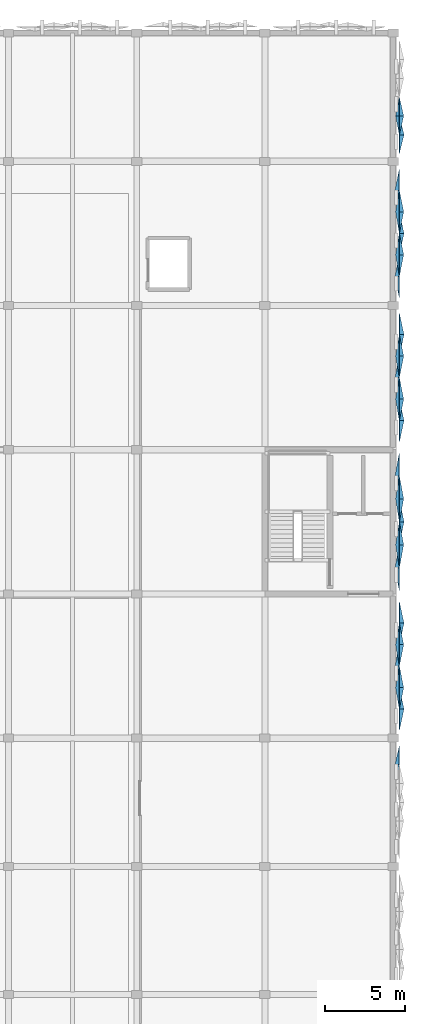
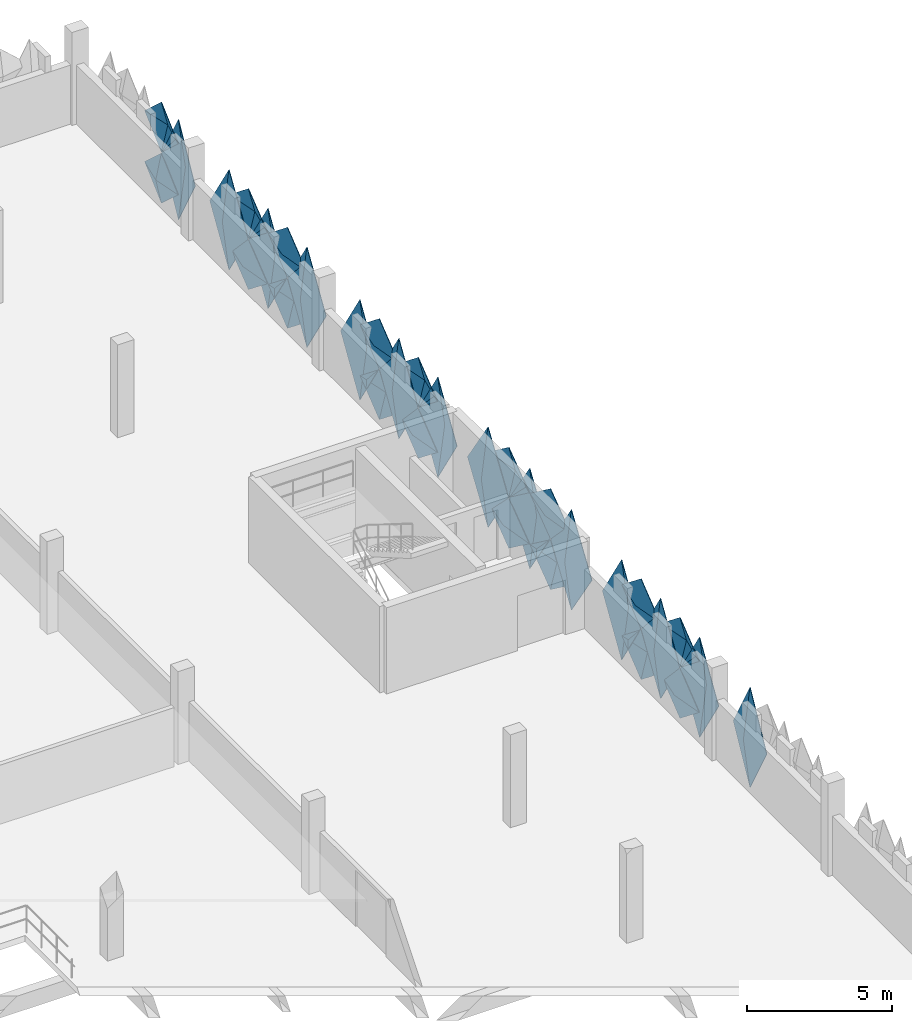
# One storey, part 66 of 83: 32 plates.
"""IFC4 building model written with IfcOpenShell, lengths in metres."""

from ifc_helpers import new_model, si_unit, derived_unit, direction, frame, origin, place, context, subcontext, project, spatial, polygons, material, layer, layer_set, type_object, element, save


model = new_model("IFC4")

# Units and contexts
model_context = context("Model", 3, precision=1e-05, world=origin(), true_north=direction((0.0, 1.0)))
body_context = subcontext(model_context, "Body", "Model", "MODEL_VIEW")
ifc_project = project(units=[si_unit("LENGTHUNIT", "METRE"), si_unit("AREAUNIT", "SQUARE_METRE"), si_unit("VOLUMEUNIT", "CUBIC_METRE"), si_unit("PLANEANGLEUNIT", "RADIAN"), si_unit("MASSUNIT", "GRAM", prefix="KILO"), si_unit("THERMODYNAMICTEMPERATUREUNIT", "KELVIN"), derived_unit("THERMALTRANSMITTANCEUNIT", [(si_unit("POWERUNIT", "WATT"), 1), (si_unit("AREAUNIT", "SQUARE_METRE"), -1), (si_unit("THERMODYNAMICTEMPERATUREUNIT", "KELVIN"), -1)])], contexts=[model_context])

# Site, building, storey
site_placement = place(None, origin())
site = spatial("IfcSite", under=ifc_project, at=site_placement, CompositionType="ELEMENT")
building_placement = place(site_placement, origin())
building = spatial("IfcBuilding", under=site, at=building_placement, Name="Haiyu Intermodal Mobility Hub", CompositionType="ELEMENT")
storey_placement = place(building_placement, frame((0.0, 0.0, 13.39990234375)))
storey = spatial("IfcBuildingStorey", under=building, at=storey_placement, Name="L03", CompositionType="ELEMENT", Elevation=13.39990234375)

# Plates
ifc_material = material(Name="Anodised aluminium 6063-T6", Category="aluminium")
ifc_layer_1 = layer(ifc_material, 0.01806640625)
ifc_layer_set_1 = layer_set([ifc_layer_1], Name="Anodised aluminium 6063-T6")
plate_type_1 = type_object("IfcPlateType", Name="PLT-FC01", PredefinedType="USERDEFINED", material=ifc_layer_set_1)
plate_1_placement = place(storey_placement, origin())
element("IfcPlate", 1, at=plate_1_placement, inside=storey, type_object=plate_type_1, Name="PLT-PYR-1213", ObjectType="FACADE CASSETTE", PredefinedType="USERDEFINED", context=body_context, shape_type="Tessellation", body=[
    polygons([(210.39990234375, 107.159912109375, 1.6201171875), (210.39990234375, 108.47998046875, 2.670166015625), (210.39990234375, 107.159912109375, 3.72021484375), (210.39990234375, 105.840087890625, 2.670166015625), (210.659912109375, 107.159912109375, 2.670166015625), (210.3779296875, 107.159912109375, 1.6201171875), (210.3779296875, 108.47998046875, 2.670166015625), (210.3779296875, 107.159912109375, 3.72021484375), (210.3779296875, 105.840087890625, 2.670166015625), (210.637939453125, 107.159912109375, 2.670166015625)], [[[1, 2, 5]], [[2, 3, 5]], [[3, 4, 5]], [[4, 1, 5]], [[7, 6, 10]], [[8, 7, 10]], [[9, 8, 10]], [[6, 9, 10]], [[1, 6, 7, 2]], [[2, 7, 8, 3]], [[3, 8, 9, 4]], [[4, 9, 6, 1]]], closed=True),
])
plate_2_placement = place(storey_placement, origin())
element("IfcPlate", 2, at=plate_2_placement, inside=storey, type_object=plate_type_1, Name="PLT-PYR-1220", ObjectType="FACADE CASSETTE", PredefinedType="USERDEFINED", context=body_context, shape_type="Tessellation", body=[
    polygons([(210.39990234375, 125.159912109375, 1.6201171875), (210.39990234375, 126.47998046875, 2.670166015625), (210.39990234375, 125.159912109375, 3.72021484375), (210.39990234375, 123.840087890625, 2.670166015625), (210.659912109375, 125.159912109375, 2.670166015625), (210.3779296875, 125.159912109375, 1.6201171875), (210.3779296875, 126.47998046875, 2.670166015625), (210.3779296875, 125.159912109375, 3.72021484375), (210.3779296875, 123.840087890625, 2.670166015625), (210.637939453125, 125.159912109375, 2.670166015625)], [[[1, 2, 5]], [[2, 3, 5]], [[3, 4, 5]], [[4, 1, 5]], [[7, 6, 10]], [[8, 7, 10]], [[9, 8, 10]], [[6, 9, 10]], [[1, 6, 7, 2]], [[2, 7, 8, 3]], [[3, 8, 9, 4]], [[4, 9, 6, 1]]], closed=True),
])
plate_3_placement = place(storey_placement, origin())
element("IfcPlate", 3, at=plate_3_placement, inside=storey, type_object=plate_type_1, Name="PLT-PYR-1228", ObjectType="FACADE CASSETTE", PredefinedType="USERDEFINED", context=body_context, shape_type="Tessellation", body=[
    polygons([(210.39990234375, 135.5, -0.510009765625), (210.39990234375, 136.820068359375, 1.60009765625), (210.39990234375, 135.5, 3.710205078125), (210.39990234375, 134.179931640625, 1.60009765625), (210.679931640625, 135.5, 1.60009765625), (210.3779296875, 135.5, -0.510009765625), (210.3779296875, 136.820068359375, 1.60009765625), (210.3779296875, 135.5, 3.710205078125), (210.3779296875, 134.179931640625, 1.60009765625), (210.657958984375, 135.5, 1.60009765625)], [[[1, 2, 5]], [[2, 3, 5]], [[3, 4, 5]], [[4, 1, 5]], [[7, 6, 10]], [[8, 7, 10]], [[9, 8, 10]], [[6, 9, 10]], [[1, 6, 7, 2]], [[2, 7, 8, 3]], [[3, 8, 9, 4]], [[4, 9, 6, 1]]], closed=True),
])
plate_4_placement = place(storey_placement, origin())
element("IfcPlate", 4, at=plate_4_placement, inside=storey, type_object=plate_type_1, Name="PLT-PYR-1230", ObjectType="FACADE CASSETTE", PredefinedType="USERDEFINED", context=body_context, shape_type="Tessellation", body=[
    polygons([(210.39990234375, 136.840087890625, 1.6201171875), (210.39990234375, 138.159912109375, 2.670166015625), (210.39990234375, 136.840087890625, 3.72021484375), (210.39990234375, 135.52001953125, 2.670166015625), (210.659912109375, 136.840087890625, 2.670166015625), (210.3779296875, 136.840087890625, 1.6201171875), (210.3779296875, 138.159912109375, 2.670166015625), (210.3779296875, 136.840087890625, 3.72021484375), (210.3779296875, 135.52001953125, 2.670166015625), (210.637939453125, 136.840087890625, 2.670166015625)], [[[1, 2, 5]], [[2, 3, 5]], [[3, 4, 5]], [[4, 1, 5]], [[7, 6, 10]], [[8, 7, 10]], [[9, 8, 10]], [[6, 9, 10]], [[1, 6, 7, 2]], [[2, 7, 8, 3]], [[3, 8, 9, 4]], [[4, 9, 6, 1]]], closed=True),
])
plate_5_placement = place(storey_placement, origin())
element("IfcPlate", 5, at=plate_5_placement, inside=storey, type_object=plate_type_1, Name="PLT-PYR-1234", ObjectType="FACADE CASSETTE", PredefinedType="USERDEFINED", context=body_context, shape_type="Tessellation", body=[
    polygons([(210.39990234375, 142.826904296875, 1.6201171875), (210.39990234375, 143.97998046875, 2.670166015625), (210.39990234375, 142.826904296875, 3.72021484375), (210.39990234375, 141.673095703125, 2.670166015625), (210.659912109375, 142.826904296875, 2.670166015625), (210.3779296875, 142.826904296875, 1.6201171875), (210.3779296875, 143.97998046875, 2.670166015625), (210.3779296875, 142.826904296875, 3.72021484375), (210.3779296875, 141.673095703125, 2.670166015625), (210.637939453125, 142.826904296875, 2.670166015625)], [[[1, 2, 5]], [[2, 3, 5]], [[3, 4, 5]], [[4, 1, 5]], [[7, 6, 10]], [[8, 7, 10]], [[9, 8, 10]], [[6, 9, 10]], [[1, 6, 7, 2]], [[2, 7, 8, 3]], [[3, 8, 9, 4]], [[4, 9, 6, 1]]], closed=True),
])
plate_6_placement = place(storey_placement, origin())
element("IfcPlate", 6, at=plate_6_placement, inside=storey, type_object=plate_type_1, Name="PLT-PYR-1405", ObjectType="FACADE CASSETTE", PredefinedType="USERDEFINED", context=body_context, shape_type="Tessellation", body=[
    polygons([(210.39990234375, 117.5, -0.510009765625), (210.39990234375, 118.9130859375, 1.60009765625), (210.39990234375, 117.5, 3.710205078125), (210.39990234375, 116.0869140625, 1.60009765625), (210.679931640625, 117.5, 1.60009765625), (210.3779296875, 117.5, -0.510009765625), (210.3779296875, 118.9130859375, 1.60009765625), (210.3779296875, 117.5, 3.710205078125), (210.3779296875, 116.0869140625, 1.60009765625), (210.657958984375, 117.5, 1.60009765625)], [[[1, 2, 5]], [[2, 3, 5]], [[3, 4, 5]], [[4, 1, 5]], [[7, 6, 10]], [[8, 7, 10]], [[9, 8, 10]], [[6, 9, 10]], [[1, 6, 7, 2]], [[2, 7, 8, 3]], [[3, 8, 9, 4]], [[4, 9, 6, 1]]], closed=True),
])
plate_7_placement = place(storey_placement, origin())
element("IfcPlate", 7, at=plate_7_placement, inside=storey, type_object=plate_type_1, Name="PLT-PYR-1407", ObjectType="FACADE CASSETTE", PredefinedType="USERDEFINED", context=body_context, shape_type="Tessellation", body=[
    polygons([(210.39990234375, 118.93310546875, 1.6201171875), (210.39990234375, 120.346923828125, 2.670166015625), (210.39990234375, 118.93310546875, 3.72021484375), (210.39990234375, 117.52001953125, 2.670166015625), (210.659912109375, 118.93310546875, 2.670166015625), (210.3779296875, 118.93310546875, 1.6201171875), (210.3779296875, 120.346923828125, 2.670166015625), (210.3779296875, 118.93310546875, 3.72021484375), (210.3779296875, 117.52001953125, 2.670166015625), (210.637939453125, 118.93310546875, 2.670166015625)], [[[1, 2, 5]], [[2, 3, 5]], [[3, 4, 5]], [[4, 1, 5]], [[7, 6, 10]], [[8, 7, 10]], [[9, 8, 10]], [[6, 9, 10]], [[1, 6, 7, 2]], [[2, 7, 8, 3]], [[3, 8, 9, 4]], [[4, 9, 6, 1]]], closed=True),
])
ifc_layer_2 = layer(ifc_material, 0.02001953125)
ifc_layer_set_2 = layer_set([ifc_layer_2], Name="Anodised aluminium 6063-T6")
plate_type_2 = type_object("IfcPlateType", Name="PLT-FC02", PredefinedType="USERDEFINED", material=ifc_layer_set_2)
plate_8_placement = place(storey_placement, origin())
element("IfcPlate", 8, at=plate_8_placement, inside=storey, type_object=plate_type_2, Name="PLT-PYR-1214", ObjectType="FACADE CASSETTE", PredefinedType="USERDEFINED", context=body_context, shape_type="Tessellation", body=[
    polygons([(210.39990234375, 108.5, -0.510009765625), (210.39990234375, 109.820068359375, 1.60009765625), (210.39990234375, 108.5, 3.710205078125), (210.39990234375, 107.179931640625, 1.60009765625), (210.139892578125, 108.5, 1.60009765625), (210.3779296875, 108.5, -0.510009765625), (210.3779296875, 109.820068359375, 1.60009765625), (210.3779296875, 108.5, 3.710205078125), (210.3779296875, 107.179931640625, 1.60009765625), (210.117919921875, 108.5, 1.60009765625)], [[[1, 2, 5]], [[2, 3, 5]], [[3, 4, 5]], [[4, 1, 5]], [[7, 6, 10]], [[8, 7, 10]], [[9, 8, 10]], [[6, 9, 10]], [[1, 6, 7, 2]], [[2, 7, 8, 3]], [[3, 8, 9, 4]], [[4, 9, 6, 1]]], closed=True),
])
plate_9_placement = place(storey_placement, origin())
element("IfcPlate", 9, at=plate_9_placement, inside=storey, type_object=plate_type_2, Name="PLT-PYR-1216", ObjectType="FACADE CASSETTE", PredefinedType="USERDEFINED", context=body_context, shape_type="Tessellation", body=[
    polygons([(210.39990234375, 109.840087890625, 1.6201171875), (210.39990234375, 111.159912109375, 2.670166015625), (210.39990234375, 109.840087890625, 3.72021484375), (210.39990234375, 108.52001953125, 2.670166015625), (210.179931640625, 109.840087890625, 2.670166015625), (210.3779296875, 109.840087890625, 1.6201171875), (210.3779296875, 111.159912109375, 2.670166015625), (210.3779296875, 109.840087890625, 3.72021484375), (210.3779296875, 108.52001953125, 2.670166015625), (210.157958984375, 109.840087890625, 2.670166015625)], [[[1, 2, 5]], [[2, 3, 5]], [[3, 4, 5]], [[4, 1, 5]], [[7, 6, 10]], [[8, 7, 10]], [[9, 8, 10]], [[6, 9, 10]], [[1, 6, 7, 2]], [[2, 7, 8, 3]], [[3, 8, 9, 4]], [[4, 9, 6, 1]]], closed=True),
])
plate_10_placement = place(storey_placement, origin())
element("IfcPlate", 10, at=plate_10_placement, inside=storey, type_object=plate_type_2, Name="PLT-PYR-1221", ObjectType="FACADE CASSETTE", PredefinedType="USERDEFINED", context=body_context, shape_type="Tessellation", body=[
    polygons([(210.39990234375, 126.5, -0.510009765625), (210.39990234375, 127.820068359375, 1.60009765625), (210.39990234375, 126.5, 3.710205078125), (210.39990234375, 125.179931640625, 1.60009765625), (210.139892578125, 126.5, 1.60009765625), (210.3779296875, 126.5, -0.510009765625), (210.3779296875, 127.820068359375, 1.60009765625), (210.3779296875, 126.5, 3.710205078125), (210.3779296875, 125.179931640625, 1.60009765625), (210.117919921875, 126.5, 1.60009765625)], [[[1, 2, 5]], [[2, 3, 5]], [[3, 4, 5]], [[4, 1, 5]], [[7, 6, 10]], [[8, 7, 10]], [[9, 8, 10]], [[6, 9, 10]], [[1, 6, 7, 2]], [[2, 7, 8, 3]], [[3, 8, 9, 4]], [[4, 9, 6, 1]]], closed=True),
])
plate_11_placement = place(storey_placement, origin())
element("IfcPlate", 11, at=plate_11_placement, inside=storey, type_object=plate_type_2, Name="PLT-PYR-1223", ObjectType="FACADE CASSETTE", PredefinedType="USERDEFINED", context=body_context, shape_type="Tessellation", body=[
    polygons([(210.39990234375, 127.840087890625, 1.6201171875), (210.39990234375, 129.159912109375, 2.670166015625), (210.39990234375, 127.840087890625, 3.72021484375), (210.39990234375, 126.52001953125, 2.670166015625), (210.179931640625, 127.840087890625, 2.670166015625), (210.3779296875, 127.840087890625, 1.6201171875), (210.3779296875, 129.159912109375, 2.670166015625), (210.3779296875, 127.840087890625, 3.72021484375), (210.3779296875, 126.52001953125, 2.670166015625), (210.157958984375, 127.840087890625, 2.670166015625)], [[[1, 2, 5]], [[2, 3, 5]], [[3, 4, 5]], [[4, 1, 5]], [[7, 6, 10]], [[8, 7, 10]], [[9, 8, 10]], [[6, 9, 10]], [[1, 6, 7, 2]], [[2, 7, 8, 3]], [[3, 8, 9, 4]], [[4, 9, 6, 1]]], closed=True),
])
plate_12_placement = place(storey_placement, origin())
element("IfcPlate", 12, at=plate_12_placement, inside=storey, type_object=plate_type_2, Name="PLT-PYR-1227", ObjectType="FACADE CASSETTE", PredefinedType="USERDEFINED", context=body_context, shape_type="Tessellation", body=[
    polygons([(210.39990234375, 134.159912109375, 1.6201171875), (210.39990234375, 135.47998046875, 2.670166015625), (210.39990234375, 134.159912109375, 3.72021484375), (210.39990234375, 132.840087890625, 2.670166015625), (210.179931640625, 134.159912109375, 2.670166015625), (210.3779296875, 134.159912109375, 1.6201171875), (210.3779296875, 135.47998046875, 2.670166015625), (210.3779296875, 134.159912109375, 3.72021484375), (210.3779296875, 132.840087890625, 2.670166015625), (210.157958984375, 134.159912109375, 2.670166015625)], [[[1, 2, 5]], [[2, 3, 5]], [[3, 4, 5]], [[4, 1, 5]], [[7, 6, 10]], [[8, 7, 10]], [[9, 8, 10]], [[6, 9, 10]], [[1, 6, 7, 2]], [[2, 7, 8, 3]], [[3, 8, 9, 4]], [[4, 9, 6, 1]]], closed=True),
])
plate_13_placement = place(storey_placement, origin())
element("IfcPlate", 13, at=plate_13_placement, inside=storey, type_object=plate_type_2, Name="PLT-PYR-1404", ObjectType="FACADE CASSETTE", PredefinedType="USERDEFINED", context=body_context, shape_type="Tessellation", body=[
    polygons([(210.39990234375, 116.06689453125, 1.6201171875), (210.39990234375, 117.47998046875, 2.670166015625), (210.39990234375, 116.06689453125, 3.72021484375), (210.39990234375, 114.653076171875, 2.670166015625), (210.179931640625, 116.06689453125, 2.670166015625), (210.3779296875, 116.06689453125, 1.6201171875), (210.3779296875, 117.47998046875, 2.670166015625), (210.3779296875, 116.06689453125, 3.72021484375), (210.3779296875, 114.653076171875, 2.670166015625), (210.157958984375, 116.06689453125, 2.670166015625)], [[[1, 2, 5]], [[2, 3, 5]], [[3, 4, 5]], [[4, 1, 5]], [[7, 6, 10]], [[8, 7, 10]], [[9, 8, 10]], [[6, 9, 10]], [[1, 6, 7, 2]], [[2, 7, 8, 3]], [[3, 8, 9, 4]], [[4, 9, 6, 1]]], closed=True),
])
ifc_layer_3 = layer(ifc_material, 0.01806640625)
ifc_layer_set_3 = layer_set([ifc_layer_3], Name="Anodised aluminium 6063-T6")
plate_type_3 = type_object("IfcPlateType", Name="PLT-FC03", PredefinedType="USERDEFINED", material=ifc_layer_set_3)
plate_14_placement = place(storey_placement, origin())
element("IfcPlate", 14, at=plate_14_placement, inside=storey, type_object=plate_type_3, Name="PLT-PYR-1217", ObjectType="FACADE CASSETTE", PredefinedType="USERDEFINED", context=body_context, shape_type="Tessellation", body=[
    polygons([(210.39990234375, 111.179931640625, -0.510009765625), (210.39990234375, 112.5, 1.60009765625), (210.39990234375, 111.179931640625, 3.710205078125), (210.39990234375, 109.860107421875, 1.60009765625), (210.679931640625, 111.179931640625, 1.60009765625), (210.3779296875, 111.179931640625, -0.510009765625), (210.3779296875, 112.5, 1.60009765625), (210.3779296875, 111.179931640625, 3.710205078125), (210.3779296875, 109.860107421875, 1.60009765625), (210.657958984375, 111.179931640625, 1.60009765625)], [[[1, 2, 5]], [[2, 3, 5]], [[3, 4, 5]], [[4, 1, 5]], [[7, 6, 10]], [[8, 7, 10]], [[9, 8, 10]], [[6, 9, 10]], [[1, 6, 7, 2]], [[2, 7, 8, 3]], [[3, 8, 9, 4]], [[4, 9, 6, 1]]], closed=True),
])
plate_15_placement = place(storey_placement, origin())
element("IfcPlate", 15, at=plate_15_placement, inside=storey, type_object=plate_type_3, Name="PLT-PYR-1224", ObjectType="FACADE CASSETTE", PredefinedType="USERDEFINED", context=body_context, shape_type="Tessellation", body=[
    polygons([(210.39990234375, 129.179931640625, -0.510009765625), (210.39990234375, 130.5, 1.60009765625), (210.39990234375, 129.179931640625, 3.710205078125), (210.39990234375, 127.860107421875, 1.60009765625), (210.679931640625, 129.179931640625, 1.60009765625), (210.3779296875, 129.179931640625, -0.510009765625), (210.3779296875, 130.5, 1.60009765625), (210.3779296875, 129.179931640625, 3.710205078125), (210.3779296875, 127.860107421875, 1.60009765625), (210.657958984375, 129.179931640625, 1.60009765625)], [[[1, 2, 5]], [[2, 3, 5]], [[3, 4, 5]], [[4, 1, 5]], [[7, 6, 10]], [[8, 7, 10]], [[9, 8, 10]], [[6, 9, 10]], [[1, 6, 7, 2]], [[2, 7, 8, 3]], [[3, 8, 9, 4]], [[4, 9, 6, 1]]], closed=True),
])
ifc_layer_4 = layer(ifc_material, 0.02001953125)
ifc_layer_set_4 = layer_set([ifc_layer_4], Name="Anodised aluminium 6063-T6")
plate_type_4 = type_object("IfcPlateType", Name="PLT-FC04", PredefinedType="USERDEFINED", material=ifc_layer_set_4)
plate_16_placement = place(storey_placement, origin())
element("IfcPlate", 16, at=plate_16_placement, inside=storey, type_object=plate_type_4, Name="PLT-PYR-1210", ObjectType="FACADE CASSETTE", PredefinedType="USERDEFINED", context=body_context, shape_type="Tessellation", body=[
    polygons([(210.39990234375, 102.346923828125, -0.510009765625), (210.39990234375, 103.5, 1.60009765625), (210.39990234375, 102.346923828125, 3.710205078125), (210.39990234375, 101.193115234375, 1.60009765625), (210.139892578125, 102.346923828125, 1.60009765625), (210.3779296875, 102.346923828125, -0.510009765625), (210.3779296875, 103.5, 1.60009765625), (210.3779296875, 102.346923828125, 3.710205078125), (210.3779296875, 101.193115234375, 1.60009765625), (210.117919921875, 102.346923828125, 1.60009765625)], [[[1, 2, 5]], [[2, 3, 5]], [[3, 4, 5]], [[4, 1, 5]], [[7, 6, 10]], [[8, 7, 10]], [[9, 8, 10]], [[6, 9, 10]], [[1, 6, 7, 2]], [[2, 7, 8, 3]], [[3, 8, 9, 4]], [[4, 9, 6, 1]]], closed=True),
])
plate_17_placement = place(storey_placement, origin())
element("IfcPlate", 17, at=plate_17_placement, inside=storey, type_object=plate_type_4, Name="PLT-PYR-1231", ObjectType="FACADE CASSETTE", PredefinedType="USERDEFINED", context=body_context, shape_type="Tessellation", body=[
    polygons([(210.39990234375, 138.179931640625, -0.510009765625), (210.39990234375, 139.5, 1.60009765625), (210.39990234375, 138.179931640625, 3.710205078125), (210.39990234375, 136.860107421875, 1.60009765625), (210.139892578125, 138.179931640625, 1.60009765625), (210.3779296875, 138.179931640625, -0.510009765625), (210.3779296875, 139.5, 1.60009765625), (210.3779296875, 138.179931640625, 3.710205078125), (210.3779296875, 136.860107421875, 1.60009765625), (210.117919921875, 138.179931640625, 1.60009765625)], [[[1, 2, 5]], [[2, 3, 5]], [[3, 4, 5]], [[4, 1, 5]], [[7, 6, 10]], [[8, 7, 10]], [[9, 8, 10]], [[6, 9, 10]], [[1, 6, 7, 2]], [[2, 7, 8, 3]], [[3, 8, 9, 4]], [[4, 9, 6, 1]]], closed=True),
])
plate_18_placement = place(storey_placement, origin())
element("IfcPlate", 18, at=plate_18_placement, inside=storey, type_object=plate_type_4, Name="PLT-PYR-1408", ObjectType="FACADE CASSETTE", PredefinedType="USERDEFINED", context=body_context, shape_type="Tessellation", body=[
    polygons([(210.39990234375, 120.366943359375, -0.510009765625), (210.39990234375, 121.780029296875, 1.60009765625), (210.39990234375, 120.366943359375, 3.710205078125), (210.39990234375, 118.952880859375, 1.60009765625), (210.139892578125, 120.366943359375, 1.60009765625), (210.3779296875, 120.366943359375, -0.510009765625), (210.3779296875, 121.780029296875, 1.60009765625), (210.3779296875, 120.366943359375, 3.710205078125), (210.3779296875, 118.952880859375, 1.60009765625), (210.117919921875, 120.366943359375, 1.60009765625)], [[[1, 2, 5]], [[2, 3, 5]], [[3, 4, 5]], [[4, 1, 5]], [[7, 6, 10]], [[8, 7, 10]], [[9, 8, 10]], [[6, 9, 10]], [[1, 6, 7, 2]], [[2, 7, 8, 3]], [[3, 8, 9, 4]], [[4, 9, 6, 1]]], closed=True),
])
ifc_layer_5 = layer(ifc_material, 0.02197265625)
ifc_layer_set_5 = layer_set([ifc_layer_5], Name="Anodised aluminium 6063-T6")
plate_type_5 = type_object("IfcPlateType", Name="PLT-FC07", PredefinedType="USERDEFINED", material=ifc_layer_set_5)
plate_19_placement = place(storey_placement, origin())
element("IfcPlate", 19, at=plate_19_placement, inside=storey, type_object=plate_type_5, Name="PLT-PYR-1211", ObjectType="FACADE CASSETTE", PredefinedType="USERDEFINED", context=body_context, shape_type="Tessellation", body=[
    polygons([(210.39990234375, 105.820068359375, -0.510009765625), (210.39990234375, 107.139892578125, 1.60009765625), (210.39990234375, 105.820068359375, 3.710205078125), (210.39990234375, 104.5, 1.60009765625), (210.679931640625, 105.820068359375, 1.60009765625), (210.3779296875, 105.820068359375, -0.510009765625), (210.3779296875, 107.139892578125, 1.60009765625), (210.3779296875, 105.820068359375, 3.710205078125), (210.3779296875, 104.5, 1.60009765625), (210.657958984375, 105.820068359375, 1.60009765625)], [[[1, 2, 5]], [[2, 3, 5]], [[3, 4, 5]], [[4, 1, 5]], [[7, 6, 10]], [[8, 7, 10]], [[9, 8, 10]], [[6, 9, 10]], [[1, 6, 7, 2]], [[2, 7, 8, 3]], [[3, 8, 9, 4]], [[4, 9, 6, 1]]], closed=True),
])
plate_20_placement = place(storey_placement, origin())
element("IfcPlate", 20, at=plate_20_placement, inside=storey, type_object=plate_type_5, Name="PLT-PYR-1215", ObjectType="FACADE CASSETTE", PredefinedType="USERDEFINED", context=body_context, shape_type="Tessellation", body=[
    polygons([(210.39990234375, 109.840087890625, -0.52001953125), (210.39990234375, 111.159912109375, 0.530029296875), (210.39990234375, 109.840087890625, 1.580078125), (210.39990234375, 108.52001953125, 0.530029296875), (210.659912109375, 109.840087890625, 0.530029296875), (210.3779296875, 109.840087890625, -0.52001953125), (210.3779296875, 111.159912109375, 0.530029296875), (210.3779296875, 109.840087890625, 1.580078125), (210.3779296875, 108.52001953125, 0.530029296875), (210.637939453125, 109.840087890625, 0.530029296875)], [[[1, 2, 5]], [[2, 3, 5]], [[3, 4, 5]], [[4, 1, 5]], [[7, 6, 10]], [[8, 7, 10]], [[9, 8, 10]], [[6, 9, 10]], [[1, 6, 7, 2]], [[2, 7, 8, 3]], [[3, 8, 9, 4]], [[4, 9, 6, 1]]], closed=True),
])
plate_21_placement = place(storey_placement, origin())
element("IfcPlate", 21, at=plate_21_placement, inside=storey, type_object=plate_type_5, Name="PLT-PYR-1218", ObjectType="FACADE CASSETTE", PredefinedType="USERDEFINED", context=body_context, shape_type="Tessellation", body=[
    polygons([(210.39990234375, 123.820068359375, -0.510009765625), (210.39990234375, 125.139892578125, 1.60009765625), (210.39990234375, 123.820068359375, 3.710205078125), (210.39990234375, 122.5, 1.60009765625), (210.679931640625, 123.820068359375, 1.60009765625), (210.3779296875, 123.820068359375, -0.510009765625), (210.3779296875, 125.139892578125, 1.60009765625), (210.3779296875, 123.820068359375, 3.710205078125), (210.3779296875, 122.5, 1.60009765625), (210.657958984375, 123.820068359375, 1.60009765625)], [[[1, 2, 5]], [[2, 3, 5]], [[3, 4, 5]], [[4, 1, 5]], [[7, 6, 10]], [[8, 7, 10]], [[9, 8, 10]], [[6, 9, 10]], [[1, 6, 7, 2]], [[2, 7, 8, 3]], [[3, 8, 9, 4]], [[4, 9, 6, 1]]], closed=True),
])
plate_22_placement = place(storey_placement, origin())
element("IfcPlate", 22, at=plate_22_placement, inside=storey, type_object=plate_type_5, Name="PLT-PYR-1222", ObjectType="FACADE CASSETTE", PredefinedType="USERDEFINED", context=body_context, shape_type="Tessellation", body=[
    polygons([(210.39990234375, 127.840087890625, -0.52001953125), (210.39990234375, 129.159912109375, 0.530029296875), (210.39990234375, 127.840087890625, 1.580078125), (210.39990234375, 126.52001953125, 0.530029296875), (210.659912109375, 127.840087890625, 0.530029296875), (210.3779296875, 127.840087890625, -0.52001953125), (210.3779296875, 129.159912109375, 0.530029296875), (210.3779296875, 127.840087890625, 1.580078125), (210.3779296875, 126.52001953125, 0.530029296875), (210.637939453125, 127.840087890625, 0.530029296875)], [[[1, 2, 5]], [[2, 3, 5]], [[3, 4, 5]], [[4, 1, 5]], [[7, 6, 10]], [[8, 7, 10]], [[9, 8, 10]], [[6, 9, 10]], [[1, 6, 7, 2]], [[2, 7, 8, 3]], [[3, 8, 9, 4]], [[4, 9, 6, 1]]], closed=True),
])
plate_23_placement = place(storey_placement, origin())
element("IfcPlate", 23, at=plate_23_placement, inside=storey, type_object=plate_type_5, Name="PLT-PYR-1226", ObjectType="FACADE CASSETTE", PredefinedType="USERDEFINED", context=body_context, shape_type="Tessellation", body=[
    polygons([(210.39990234375, 134.159912109375, -0.52001953125), (210.39990234375, 135.47998046875, 0.530029296875), (210.39990234375, 134.159912109375, 1.580078125), (210.39990234375, 132.840087890625, 0.530029296875), (210.659912109375, 134.159912109375, 0.530029296875), (210.3779296875, 134.159912109375, -0.52001953125), (210.3779296875, 135.47998046875, 0.530029296875), (210.3779296875, 134.159912109375, 1.580078125), (210.3779296875, 132.840087890625, 0.530029296875), (210.637939453125, 134.159912109375, 0.530029296875)], [[[1, 2, 5]], [[2, 3, 5]], [[3, 4, 5]], [[4, 1, 5]], [[7, 6, 10]], [[8, 7, 10]], [[9, 8, 10]], [[6, 9, 10]], [[1, 6, 7, 2]], [[2, 7, 8, 3]], [[3, 8, 9, 4]], [[4, 9, 6, 1]]], closed=True),
])
plate_24_placement = place(storey_placement, origin())
element("IfcPlate", 24, at=plate_24_placement, inside=storey, type_object=plate_type_5, Name="PLT-PYR-1232", ObjectType="FACADE CASSETTE", PredefinedType="USERDEFINED", context=body_context, shape_type="Tessellation", body=[
    polygons([(210.39990234375, 141.653076171875, -0.510009765625), (210.39990234375, 142.806884765625, 1.60009765625), (210.39990234375, 141.653076171875, 3.710205078125), (210.39990234375, 140.5, 1.60009765625), (210.679931640625, 141.653076171875, 1.60009765625), (210.3779296875, 141.653076171875, -0.510009765625), (210.3779296875, 142.806884765625, 1.60009765625), (210.3779296875, 141.653076171875, 3.710205078125), (210.3779296875, 140.5, 1.60009765625), (210.657958984375, 141.653076171875, 1.60009765625)], [[[1, 2, 5]], [[2, 3, 5]], [[3, 4, 5]], [[4, 1, 5]], [[7, 6, 10]], [[8, 7, 10]], [[9, 8, 10]], [[6, 9, 10]], [[1, 6, 7, 2]], [[2, 7, 8, 3]], [[3, 8, 9, 4]], [[4, 9, 6, 1]]], closed=True),
])
plate_25_placement = place(storey_placement, origin())
element("IfcPlate", 25, at=plate_25_placement, inside=storey, type_object=plate_type_5, Name="PLT-PYR-1403", ObjectType="FACADE CASSETTE", PredefinedType="USERDEFINED", context=body_context, shape_type="Tessellation", body=[
    polygons([(210.39990234375, 116.06689453125, -0.52001953125), (210.39990234375, 117.47998046875, 0.530029296875), (210.39990234375, 116.06689453125, 1.580078125), (210.39990234375, 114.653076171875, 0.530029296875), (210.659912109375, 116.06689453125, 0.530029296875), (210.3779296875, 116.06689453125, -0.52001953125), (210.3779296875, 117.47998046875, 0.530029296875), (210.3779296875, 116.06689453125, 1.580078125), (210.3779296875, 114.653076171875, 0.530029296875), (210.637939453125, 116.06689453125, 0.530029296875)], [[[1, 2, 5]], [[2, 3, 5]], [[3, 4, 5]], [[4, 1, 5]], [[7, 6, 10]], [[8, 7, 10]], [[9, 8, 10]], [[6, 9, 10]], [[1, 6, 7, 2]], [[2, 7, 8, 3]], [[3, 8, 9, 4]], [[4, 9, 6, 1]]], closed=True),
])
ifc_layer_6 = layer(ifc_material, 0.02392578125)
ifc_layer_set_6 = layer_set([ifc_layer_6], Name="Anodised aluminium 6063-T6")
plate_type_6 = type_object("IfcPlateType", Name="PLT-FC08", PredefinedType="USERDEFINED", material=ifc_layer_set_6)
plate_26_placement = place(storey_placement, origin())
element("IfcPlate", 26, at=plate_26_placement, inside=storey, type_object=plate_type_6, Name="PLT-PYR-1212", ObjectType="FACADE CASSETTE", PredefinedType="USERDEFINED", context=body_context, shape_type="Tessellation", body=[
    polygons([(210.39990234375, 107.159912109375, -0.52001953125), (210.39990234375, 108.47998046875, 0.530029296875), (210.39990234375, 107.159912109375, 1.580078125), (210.39990234375, 105.840087890625, 0.530029296875), (210.179931640625, 107.159912109375, 0.530029296875), (210.3779296875, 107.159912109375, -0.52001953125), (210.3779296875, 108.47998046875, 0.530029296875), (210.3779296875, 107.159912109375, 1.580078125), (210.3779296875, 105.840087890625, 0.530029296875), (210.157958984375, 107.159912109375, 0.530029296875)], [[[1, 2, 5]], [[2, 3, 5]], [[3, 4, 5]], [[4, 1, 5]], [[7, 6, 10]], [[8, 7, 10]], [[9, 8, 10]], [[6, 9, 10]], [[1, 6, 7, 2]], [[2, 7, 8, 3]], [[3, 8, 9, 4]], [[4, 9, 6, 1]]], closed=True),
])
plate_27_placement = place(storey_placement, origin())
element("IfcPlate", 27, at=plate_27_placement, inside=storey, type_object=plate_type_6, Name="PLT-PYR-1219", ObjectType="FACADE CASSETTE", PredefinedType="USERDEFINED", context=body_context, shape_type="Tessellation", body=[
    polygons([(210.39990234375, 125.159912109375, -0.52001953125), (210.39990234375, 126.47998046875, 0.530029296875), (210.39990234375, 125.159912109375, 1.580078125), (210.39990234375, 123.840087890625, 0.530029296875), (210.179931640625, 125.159912109375, 0.530029296875), (210.3779296875, 125.159912109375, -0.52001953125), (210.3779296875, 126.47998046875, 0.530029296875), (210.3779296875, 125.159912109375, 1.580078125), (210.3779296875, 123.840087890625, 0.530029296875), (210.157958984375, 125.159912109375, 0.530029296875)], [[[1, 2, 5]], [[2, 3, 5]], [[3, 4, 5]], [[4, 1, 5]], [[7, 6, 10]], [[8, 7, 10]], [[9, 8, 10]], [[6, 9, 10]], [[1, 6, 7, 2]], [[2, 7, 8, 3]], [[3, 8, 9, 4]], [[4, 9, 6, 1]]], closed=True),
])
plate_28_placement = place(storey_placement, origin())
element("IfcPlate", 28, at=plate_28_placement, inside=storey, type_object=plate_type_6, Name="PLT-PYR-1225", ObjectType="FACADE CASSETTE", PredefinedType="USERDEFINED", context=body_context, shape_type="Tessellation", body=[
    polygons([(210.39990234375, 132.820068359375, -0.510009765625), (210.39990234375, 134.139892578125, 1.60009765625), (210.39990234375, 132.820068359375, 3.710205078125), (210.39990234375, 131.5, 1.60009765625), (210.139892578125, 132.820068359375, 1.60009765625), (210.3779296875, 132.820068359375, -0.510009765625), (210.3779296875, 134.139892578125, 1.60009765625), (210.3779296875, 132.820068359375, 3.710205078125), (210.3779296875, 131.5, 1.60009765625), (210.117919921875, 132.820068359375, 1.60009765625)], [[[1, 2, 5]], [[2, 3, 5]], [[3, 4, 5]], [[4, 1, 5]], [[7, 6, 10]], [[8, 7, 10]], [[9, 8, 10]], [[6, 9, 10]], [[1, 6, 7, 2]], [[2, 7, 8, 3]], [[3, 8, 9, 4]], [[4, 9, 6, 1]]], closed=True),
])
plate_29_placement = place(storey_placement, origin())
element("IfcPlate", 29, at=plate_29_placement, inside=storey, type_object=plate_type_6, Name="PLT-PYR-1229", ObjectType="FACADE CASSETTE", PredefinedType="USERDEFINED", context=body_context, shape_type="Tessellation", body=[
    polygons([(210.39990234375, 136.840087890625, -0.52001953125), (210.39990234375, 138.159912109375, 0.530029296875), (210.39990234375, 136.840087890625, 1.580078125), (210.39990234375, 135.52001953125, 0.530029296875), (210.179931640625, 136.840087890625, 0.530029296875), (210.3779296875, 136.840087890625, -0.52001953125), (210.3779296875, 138.159912109375, 0.530029296875), (210.3779296875, 136.840087890625, 1.580078125), (210.3779296875, 135.52001953125, 0.530029296875), (210.157958984375, 136.840087890625, 0.530029296875)], [[[1, 2, 5]], [[2, 3, 5]], [[3, 4, 5]], [[4, 1, 5]], [[7, 6, 10]], [[8, 7, 10]], [[9, 8, 10]], [[6, 9, 10]], [[1, 6, 7, 2]], [[2, 7, 8, 3]], [[3, 8, 9, 4]], [[4, 9, 6, 1]]], closed=True),
])
plate_30_placement = place(storey_placement, origin())
element("IfcPlate", 30, at=plate_30_placement, inside=storey, type_object=plate_type_6, Name="PLT-PYR-1233", ObjectType="FACADE CASSETTE", PredefinedType="USERDEFINED", context=body_context, shape_type="Tessellation", body=[
    polygons([(210.39990234375, 142.826904296875, -0.52001953125), (210.39990234375, 143.97998046875, 0.530029296875), (210.39990234375, 142.826904296875, 1.580078125), (210.39990234375, 141.673095703125, 0.530029296875), (210.179931640625, 142.826904296875, 0.530029296875), (210.3779296875, 142.826904296875, -0.52001953125), (210.3779296875, 143.97998046875, 0.530029296875), (210.3779296875, 142.826904296875, 1.580078125), (210.3779296875, 141.673095703125, 0.530029296875), (210.157958984375, 142.826904296875, 0.530029296875)], [[[1, 2, 5]], [[2, 3, 5]], [[3, 4, 5]], [[4, 1, 5]], [[7, 6, 10]], [[8, 7, 10]], [[9, 8, 10]], [[6, 9, 10]], [[1, 6, 7, 2]], [[2, 7, 8, 3]], [[3, 8, 9, 4]], [[4, 9, 6, 1]]], closed=True),
])
plate_31_placement = place(storey_placement, origin())
element("IfcPlate", 31, at=plate_31_placement, inside=storey, type_object=plate_type_6, Name="PLT-PYR-1402", ObjectType="FACADE CASSETTE", PredefinedType="USERDEFINED", context=body_context, shape_type="Tessellation", body=[
    polygons([(210.39990234375, 114.633056640625, -0.510009765625), (210.39990234375, 116.047119140625, 1.60009765625), (210.39990234375, 114.633056640625, 3.710205078125), (210.39990234375, 113.219970703125, 1.60009765625), (210.139892578125, 114.633056640625, 1.60009765625), (210.3779296875, 114.633056640625, -0.510009765625), (210.3779296875, 116.047119140625, 1.60009765625), (210.3779296875, 114.633056640625, 3.710205078125), (210.3779296875, 113.219970703125, 1.60009765625), (210.117919921875, 114.633056640625, 1.60009765625)], [[[1, 2, 5]], [[2, 3, 5]], [[3, 4, 5]], [[4, 1, 5]], [[7, 6, 10]], [[8, 7, 10]], [[9, 8, 10]], [[6, 9, 10]], [[1, 6, 7, 2]], [[2, 7, 8, 3]], [[3, 8, 9, 4]], [[4, 9, 6, 1]]], closed=True),
])
plate_32_placement = place(storey_placement, origin())
element("IfcPlate", 32, at=plate_32_placement, inside=storey, type_object=plate_type_6, Name="PLT-PYR-1406", ObjectType="FACADE CASSETTE", PredefinedType="USERDEFINED", context=body_context, shape_type="Tessellation", body=[
    polygons([(210.39990234375, 118.93310546875, -0.52001953125), (210.39990234375, 120.346923828125, 0.530029296875), (210.39990234375, 118.93310546875, 1.580078125), (210.39990234375, 117.52001953125, 0.530029296875), (210.179931640625, 118.93310546875, 0.530029296875), (210.3779296875, 118.93310546875, -0.52001953125), (210.3779296875, 120.346923828125, 0.530029296875), (210.3779296875, 118.93310546875, 1.580078125), (210.3779296875, 117.52001953125, 0.530029296875), (210.157958984375, 118.93310546875, 0.530029296875)], [[[1, 2, 5]], [[2, 3, 5]], [[3, 4, 5]], [[4, 1, 5]], [[7, 6, 10]], [[8, 7, 10]], [[9, 8, 10]], [[6, 9, 10]], [[1, 6, 7, 2]], [[2, 7, 8, 3]], [[3, 8, 9, 4]], [[4, 9, 6, 1]]], closed=True),
])

save(model, "model.ifc")
